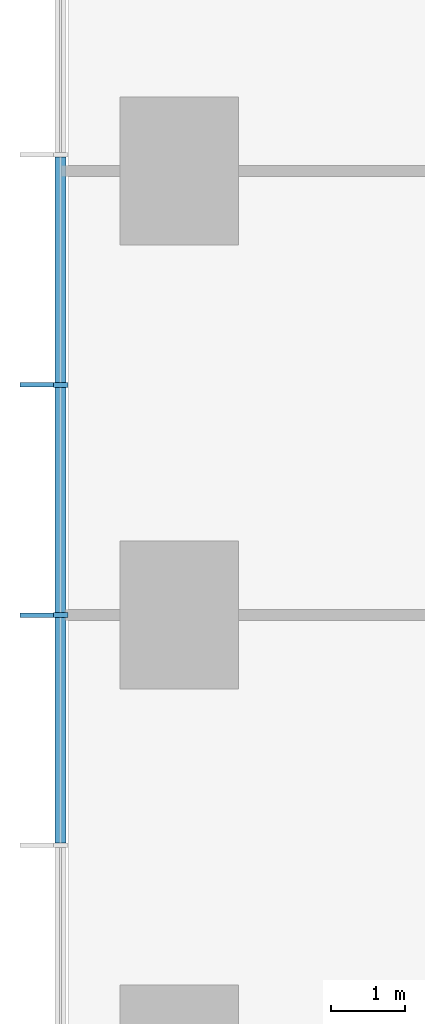
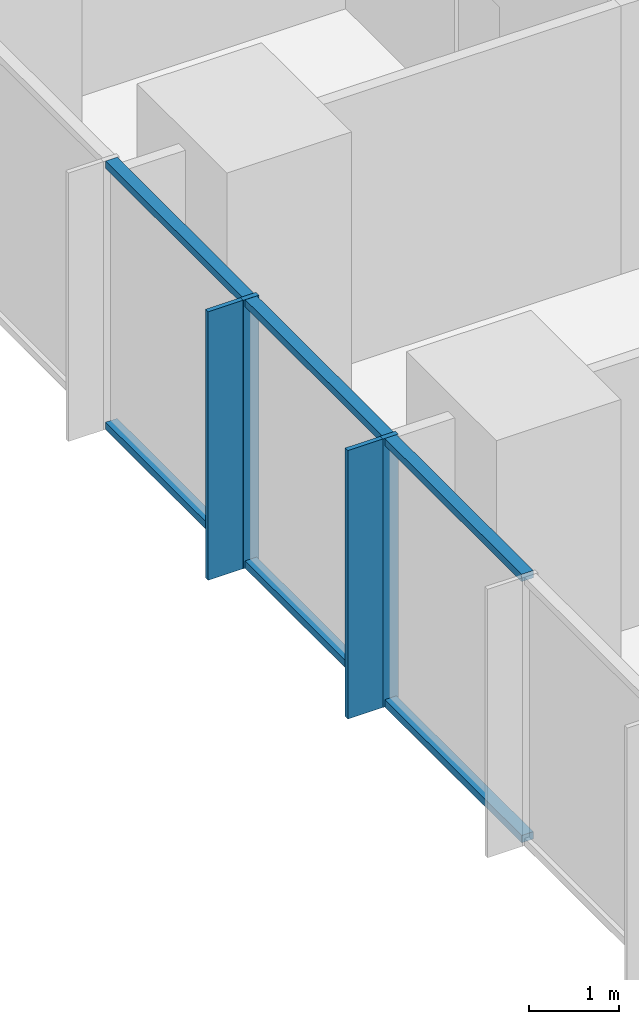
# One storey, part 3 of 13: 10 members, 1 element without a shape of its own.
"""IFC4 building model written with IfcOpenShell, lengths in metres."""

from ifc_helpers import new_model, si_unit, direction, frame, origin, origin_2d, place, context, subcontext, project, spatial, rectangle, extrude, material, layer, layer_set, material_profile, profile_set, type_object, element, aggregate, save


model = new_model("IFC4")

# Units and contexts
model_context = context("Model", 3, precision=1e-05, world=origin(), true_north=direction((0.0, 1.0)))
body_context = subcontext(model_context, "Body", "Model", "MODEL_VIEW")
ifc_project = project(units=[si_unit("LENGTHUNIT", "METRE"), si_unit("AREAUNIT", "SQUARE_METRE"), si_unit("VOLUMEUNIT", "CUBIC_METRE"), si_unit("PLANEANGLEUNIT", "RADIAN"), si_unit("MASSUNIT", "GRAM", prefix="KILO")], contexts=[model_context])

# Site, building, storey
site_placement = place(None, origin())
site = spatial("IfcSite", under=ifc_project, at=site_placement, CompositionType="ELEMENT")
building_placement = place(site_placement, origin())
building = spatial("IfcBuilding", under=site, at=building_placement, Name="Highveld Stack Headquarters", CompositionType="ELEMENT")
storey_placement = place(building_placement, frame((0.0, 0.0, 61.10009765625)))
storey = spatial("IfcBuildingStorey", under=building, at=storey_placement, Name="L14", CompositionType="ELEMENT", Elevation=61.10009765625)

# Curtain wall, members
ifc_material_1 = material(Name="Aluminium bronze anodised", Category="aluminium")
ifc_layer = layer(ifc_material_1, 0.199951171875)
ifc_layer_set = layer_set([ifc_layer], Name="Aluminium bronze anodised")
curtain_wall_type = type_object("IfcCurtainWallType", Name="CW1 TOWER UNITISED CURTAIN WALL", PredefinedType="NOTDEFINED", material=ifc_layer_set)
curtain_wall_placement = place(storey_placement, origin())
curtain_wall = element("IfcCurtainWall", 1, at=curtain_wall_placement, inside=storey, type_object=curtain_wall_type, Name="Curtain wall CW1 L14 W", PredefinedType="NOTDEFINED")
ifc_material_2 = material(Name="Aluminium bronze anodised", Category="aluminium")
ifc_material_profile_1 = material_profile(ifc_material_2, rectangle(XDim=0.449951171875, YDim=0.06005859375, at=origin_2d()), Name="FIN 450x60")
ifc_profile_set_1 = profile_set([ifc_material_profile_1], Name="Aluminium bronze anodised")
member_type_1 = type_object("IfcMemberType", Name="CW1 BRONZE FIN 450x60", PredefinedType="USERDEFINED", material=ifc_profile_set_1)
member_1_placement = place(storey_placement, frame((-19.925048828125, 3.110595703125, 0.0), z_axis=(0.0, 0.0, 1.0), x_axis=(1.0, 0.0, 0.0)))
member_1 = element("IfcMember", 2, at=member_1_placement, type_object=member_type_1, Name="CW1 fin L14 6", ObjectType="FIN", PredefinedType="USERDEFINED", context=body_context, shape_type="SweptSolid", body=[
    extrude(rectangle(XDim=0.449951171875, YDim=0.06005859375, at=origin_2d()), origin(), (0.0, 0.0, 1.0), 3.64990234375),
])
member_2_placement = place(storey_placement, frame((-19.925048828125, 0.0, 0.0), z_axis=(0.0, 0.0, 1.0), x_axis=(1.0, 0.0, 0.0)))
member_2 = element("IfcMember", 3, at=member_2_placement, type_object=member_type_1, Name="CW1 fin L14 7", ObjectType="FIN", PredefinedType="USERDEFINED", context=body_context, shape_type="SweptSolid", body=[
    extrude(rectangle(XDim=0.449951171875, YDim=0.06005859375, at=origin_2d()), origin(), (0.0, 0.0, 1.0), 3.64990234375),
])
ifc_material_3 = material(Name="Aluminium bronze anodised", Category="aluminium")
ifc_material_profile_2 = material_profile(ifc_material_3, rectangle(XDim=0.199951171875, YDim=0.06494140625, at=origin_2d()), Name="CW1 MULLION 65x200")
ifc_profile_set_2 = profile_set([ifc_material_profile_2], Name="Aluminium bronze anodised")
member_type_2 = type_object("IfcMemberType", Name="CW1 MULLION 65x200", PredefinedType="MULLION", material=ifc_profile_set_2)
member_3_placement = place(storey_placement, frame((-19.60009765625, 3.110595703125, 0.0), z_axis=(0.0, 0.0, 1.0), x_axis=(1.0, 0.0, 0.0)))
member_3 = element("IfcMember", 4, at=member_3_placement, type_object=member_type_2, Name="CW1 mullion L14 6", PredefinedType="MULLION", context=body_context, shape_type="SweptSolid", body=[
    extrude(rectangle(XDim=0.199951171875, YDim=0.06494140625, at=origin_2d()), origin(), (0.0, 0.0, 1.0), 3.64990234375),
])
member_4_placement = place(storey_placement, frame((-19.60009765625, 0.0, 0.0), z_axis=(0.0, 0.0, 1.0), x_axis=(1.0, 0.0, 0.0)))
member_4 = element("IfcMember", 5, at=member_4_placement, type_object=member_type_2, Name="CW1 mullion L14 7", PredefinedType="MULLION", context=body_context, shape_type="SweptSolid", body=[
    extrude(rectangle(XDim=0.199951171875, YDim=0.06494140625, at=origin_2d()), origin(), (0.0, 0.0, 1.0), 3.64990234375),
])
ifc_material_4 = material(Name="Aluminium bronze anodised", Category="aluminium")
ifc_material_profile_3 = material_profile(ifc_material_4, rectangle(XDim=0.14990234375, YDim=0.10009765625, at=origin_2d()), Name="CW1 TRANSOM 150x100")
ifc_profile_set_3 = profile_set([ifc_material_profile_3], Name="Aluminium bronze anodised")
member_type_3 = type_object("IfcMemberType", Name="CW1 STACK TRANSOM 150x100", PredefinedType="USERDEFINED", material=ifc_profile_set_3)
member_5_placement = place(storey_placement, frame((-19.60009765625, 6.1884765625, 0.0498046875), z_axis=(0.0, -1.0, 0.0), x_axis=(1.0, 0.0, 0.0)))
member_5 = element("IfcMember", 6, at=member_5_placement, type_object=member_type_3, Name="CW1 transom L14 5.1", ObjectType="TRANSOM", PredefinedType="USERDEFINED", context=body_context, shape_type="SweptSolid", body=[
    extrude(rectangle(XDim=0.14990234375, YDim=0.10009765625, at=origin_2d()), origin(), (0.0, 0.0, 1.0), 3.04541015625),
])
member_6_placement = place(storey_placement, frame((-19.60009765625, 6.1884765625, 3.599853515625), z_axis=(0.0, -1.0, 0.0), x_axis=(1.0, 0.0, 0.0)))
member_6 = element("IfcMember", 7, at=member_6_placement, type_object=member_type_3, Name="CW1 transom L14 5.2", ObjectType="TRANSOM", PredefinedType="USERDEFINED", context=body_context, shape_type="SweptSolid", body=[
    extrude(rectangle(XDim=0.14990234375, YDim=0.10009765625, at=origin_2d()), origin(), (0.0, 0.0, 1.0), 3.04541015625),
])
member_7_placement = place(storey_placement, frame((-19.60009765625, 3.077880859375, 0.0498046875), z_axis=(0.0, -1.0, 0.0), x_axis=(1.0, 0.0, 0.0)))
member_7 = element("IfcMember", 8, at=member_7_placement, type_object=member_type_3, Name="CW1 transom L14 6.1", ObjectType="TRANSOM", PredefinedType="USERDEFINED", context=body_context, shape_type="SweptSolid", body=[
    extrude(rectangle(XDim=0.14990234375, YDim=0.10009765625, at=origin_2d()), origin(), (0.0, 0.0, 1.0), 3.04541015625),
])
member_8_placement = place(storey_placement, frame((-19.60009765625, 3.077880859375, 3.599853515625), z_axis=(0.0, -1.0, 0.0), x_axis=(1.0, 0.0, 0.0)))
member_8 = element("IfcMember", 9, at=member_8_placement, type_object=member_type_3, Name="CW1 transom L14 6.2", ObjectType="TRANSOM", PredefinedType="USERDEFINED", context=body_context, shape_type="SweptSolid", body=[
    extrude(rectangle(XDim=0.14990234375, YDim=0.10009765625, at=origin_2d()), origin(), (0.0, 0.0, 1.0), 3.04541015625),
])
member_9_placement = place(storey_placement, frame((-19.60009765625, -0.032470703125, 0.0498046875), z_axis=(0.0, -1.0, 0.0), x_axis=(1.0, 0.0, 0.0)))
member_9 = element("IfcMember", 10, at=member_9_placement, type_object=member_type_3, Name="CW1 transom L14 7.1", ObjectType="TRANSOM", PredefinedType="USERDEFINED", context=body_context, shape_type="SweptSolid", body=[
    extrude(rectangle(XDim=0.14990234375, YDim=0.10009765625, at=origin_2d()), origin(), (0.0, 0.0, 1.0), 3.04541015625),
])
member_10_placement = place(storey_placement, frame((-19.60009765625, -0.032470703125, 3.599853515625), z_axis=(0.0, -1.0, 0.0), x_axis=(1.0, 0.0, 0.0)))
member_10 = element("IfcMember", 11, at=member_10_placement, type_object=member_type_3, Name="CW1 transom L14 7.2", ObjectType="TRANSOM", PredefinedType="USERDEFINED", context=body_context, shape_type="SweptSolid", body=[
    extrude(rectangle(XDim=0.14990234375, YDim=0.10009765625, at=origin_2d()), origin(), (0.0, 0.0, 1.0), 3.04541015625),
])
aggregate(curtain_wall, [member_3, member_1, member_4, member_2, member_5, member_6, member_7, member_8, member_9, member_10])

save(model, "model.ifc")
